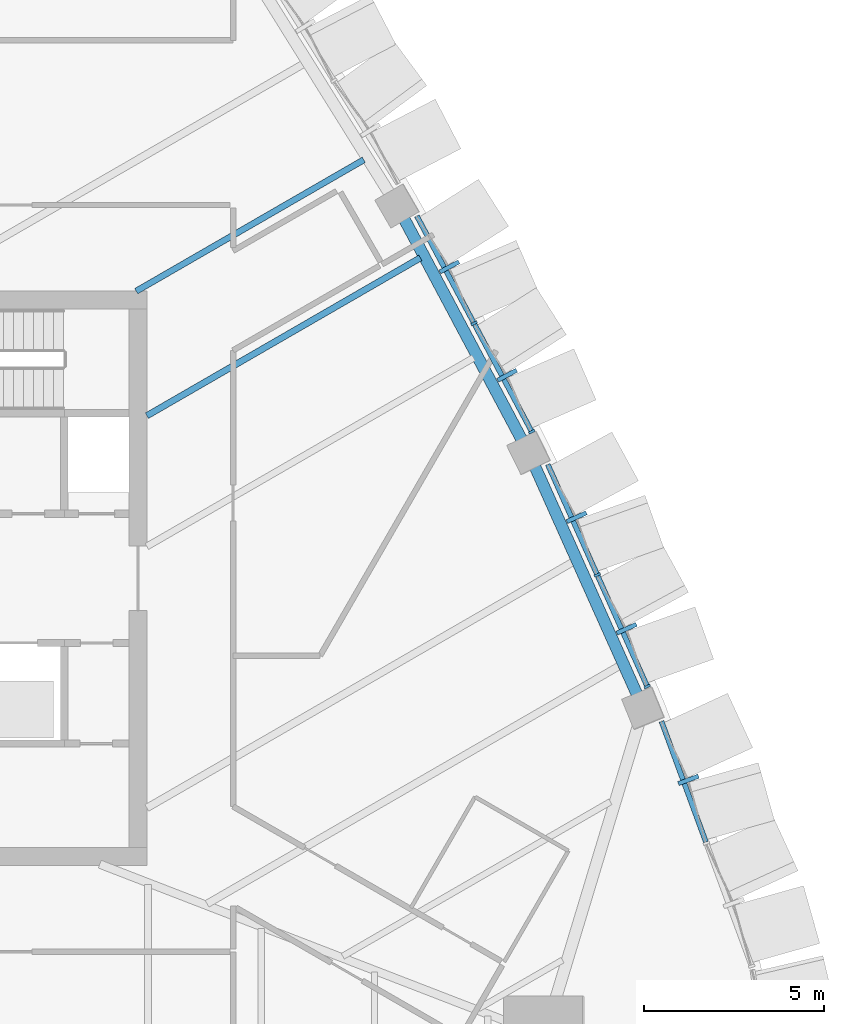
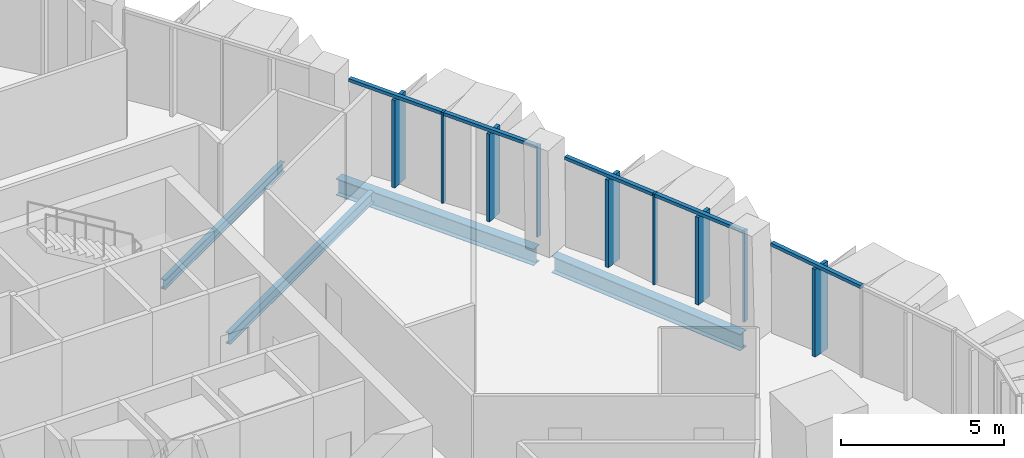
# One storey, part 5 of 20: 14 members, 4 beams, 3 elements without a shape of their own.
"""IFC4 building model written with IfcOpenShell, lengths in metres."""

from ifc_helpers import new_model, si_unit, direction, frame, origin, origin_2d, place, context, subcontext, project, spatial, rectangle, i_section, extrude, material, layer, layer_set, material_profile, profile_set, type_object, element, aggregate, save


model = new_model("IFC4")

# Units and contexts
model_context = context("Model", 3, precision=1e-05, world=origin(), true_north=direction((0.0, 1.0)))
body_context = subcontext(model_context, "Body", "Model", "MODEL_VIEW")
ifc_project = project(units=[si_unit("LENGTHUNIT", "METRE"), si_unit("AREAUNIT", "SQUARE_METRE"), si_unit("VOLUMEUNIT", "CUBIC_METRE"), si_unit("PLANEANGLEUNIT", "RADIAN"), si_unit("MASSUNIT", "GRAM", prefix="KILO")], contexts=[model_context])

# Site, building, storey
site_placement = place(None, origin())
site = spatial("IfcSite", under=ifc_project, at=site_placement, CompositionType="ELEMENT")
building_placement = place(site_placement, origin())
building = spatial("IfcBuilding", under=site, at=building_placement, Name="Sierra Prisma Convention Tower", CompositionType="ELEMENT")
storey_placement = place(building_placement, frame((0.0, 0.0, 239.0)))
storey = spatial("IfcBuildingStorey", under=building, at=storey_placement, Name="L53", CompositionType="ELEMENT", Elevation=239.0)

# Curtain wall, member
ifc_material_1 = material(Name="Aluminium and glass curtain wall", Category="aluminium")
ifc_layer = layer(ifc_material_1, 0.179931640625)
ifc_layer_set = layer_set([ifc_layer], Name="CW-2 Faceted crystal curtain wall")
curtain_wall_type = type_object("IfcCurtainWallType", Name="CW-2 Faceted crystal curtain wall", PredefinedType="NOTDEFINED", material=ifc_layer_set)
curtain_wall_1_placement = place(storey_placement, origin())
curtain_wall_1 = element("IfcCurtainWall", 1, at=curtain_wall_1_placement, inside=storey, type_object=curtain_wall_type, Name="CW-2 NE1 L53", PredefinedType="NOTDEFINED")
ifc_material_2 = material(Name="Aluminium 6063-T6 bronze anodised", Category="aluminium")
ifc_material_profile_1 = material_profile(ifc_material_2, rectangle(XDim=0.1201171875, YDim=0.60009765625, at=origin_2d()), Name="ALU RIDGE BLADE 120x600")
ifc_profile_set_1 = profile_set([ifc_material_profile_1], Name="Aluminium 6063-T6 bronze anodised")
member_type_1 = type_object("IfcMemberType", Name="CW hip bronze", PredefinedType="MULLION", material=ifc_profile_set_1)
member_1_placement = place(storey_placement, frame((26.08154296875, -5.61083984375, 0.0), z_axis=(0.0, 0.0, 1.0), x_axis=(-0.345714125267, 0.93833988703, 0.0)))
member_1 = element("IfcMember", 2, at=member_1_placement, type_object=member_type_1, Name="CW-2 ridge NE1.2", PredefinedType="MULLION", context=body_context, shape_type="SweptSolid", body=[
    extrude(rectangle(XDim=0.1201171875, YDim=0.60009765625, at=origin_2d()), origin(), (0.0, 0.0, 1.0), 3.280029296875),
])

# Curtain wall, members
curtain_wall_2_placement = place(storey_placement, origin())
curtain_wall_2 = element("IfcCurtainWall", 3, at=curtain_wall_2_placement, inside=storey, type_object=curtain_wall_type, Name="CW-2 NE2 L53", PredefinedType="NOTDEFINED")
member_2_placement = place(storey_placement, frame((24.358154296875, -1.40185546875, 0.0), z_axis=(0.0, 0.0, 1.0), x_axis=(-0.408891774944, 0.912582881925, 0.0)))
member_2 = element("IfcMember", 4, at=member_2_placement, type_object=member_type_1, Name="CW-2 ridge NE2.1", PredefinedType="MULLION", context=body_context, shape_type="SweptSolid", body=[
    extrude(rectangle(XDim=0.1201171875, YDim=0.60009765625, at=origin_2d()), origin(), (0.0, 0.0, 1.0), 3.280029296875),
])
member_3_placement = place(storey_placement, frame((22.966064453125, 1.70458984375, 0.0), z_axis=(0.0, 0.0, 1.0), x_axis=(-0.408891774944, 0.912582881925, 0.0)))
member_3 = element("IfcMember", 5, at=member_3_placement, type_object=member_type_1, Name="CW-2 ridge NE2.2", PredefinedType="MULLION", context=body_context, shape_type="SweptSolid", body=[
    extrude(rectangle(XDim=0.1201171875, YDim=0.60009765625, at=origin_2d()), origin(), (0.0, 0.0, 1.0), 3.280029296875),
])

curtain_wall_3_placement = place(storey_placement, origin())
curtain_wall_3 = element("IfcCurtainWall", 6, at=curtain_wall_3_placement, inside=storey, type_object=curtain_wall_type, Name="CW-2 NE3 L53", PredefinedType="NOTDEFINED")
member_4_placement = place(storey_placement, frame((21.03076171875, 5.656982421875, 0.0), z_axis=(0.0, 0.0, 1.0), x_axis=(-0.470166099365, 0.882577950669, 0.0)))
member_4 = element("IfcMember", 7, at=member_4_placement, type_object=member_type_1, Name="CW-2 ridge NE3.1", PredefinedType="MULLION", context=body_context, shape_type="SweptSolid", body=[
    extrude(rectangle(XDim=0.1201171875, YDim=0.60009765625, at=origin_2d()), origin(), (0.0, 0.0, 1.0), 3.280029296875),
])
member_5_placement = place(storey_placement, frame((19.4228515625, 8.67529296875, 0.0), z_axis=(0.0, 0.0, 1.0), x_axis=(-0.470166099365, 0.882577950669, 0.0)))
member_5 = element("IfcMember", 8, at=member_5_placement, type_object=member_type_1, Name="CW-2 ridge NE3.2", PredefinedType="MULLION", context=body_context, shape_type="SweptSolid", body=[
    extrude(rectangle(XDim=0.1201171875, YDim=0.60009765625, at=origin_2d()), origin(), (0.0, 0.0, 1.0), 3.280029296875),
])

# Member
ifc_material_3 = material(Name="Aluminium 6063-T6 bronze anodised", Category="aluminium")
ifc_material_profile_2 = material_profile(ifc_material_3, rectangle(XDim=0.179931640625, YDim=0.070068359375, at=origin_2d()), Name="ALU MULLION 70x180")
ifc_profile_set_2 = profile_set([ifc_material_profile_2], Name="Aluminium 6063-T6 bronze anodised")
member_type_2 = type_object("IfcMemberType", Name="CW mullion bronze", PredefinedType="MULLION", material=ifc_profile_set_2)
member_6_placement = place(storey_placement, frame((24.934326171875, -3.009033203125, 0.0), z_axis=(0.0, 0.0, 1.0), x_axis=(-0.912582881925, -0.408891774944, 0.0)))
member_6 = element("IfcMember", 9, at=member_6_placement, type_object=member_type_2, Name="CW-1 mullion NE2.1", PredefinedType="MULLION", context=body_context, shape_type="SweptSolid", body=[
    extrude(rectangle(XDim=0.179931640625, YDim=0.070068359375, at=origin_2d()), origin(), (0.0, 0.0, 1.0), 3.39990234375),
])

member_7_placement = place(storey_placement, frame((23.54248046875, 0.09765625, 0.0), z_axis=(0.0, 0.0, 1.0), x_axis=(-0.912582881925, -0.408891774944, 0.0)))
member_7 = element("IfcMember", 10, at=member_7_placement, type_object=member_type_2, Name="CW-1 mullion NE2.2", PredefinedType="MULLION", context=body_context, shape_type="SweptSolid", body=[
    extrude(rectangle(XDim=0.179931640625, YDim=0.070068359375, at=origin_2d()), origin(), (0.0, 0.0, 1.0), 3.39990234375),
])

member_8_placement = place(storey_placement, frame((21.718505859375, 4.085693359375, 0.0), z_axis=(0.0, 0.0, 1.0), x_axis=(-0.882577950669, -0.470166099365, 0.0)))
member_8 = element("IfcMember", 11, at=member_8_placement, type_object=member_type_2, Name="CW-1 mullion NE3.1", PredefinedType="MULLION", context=body_context, shape_type="SweptSolid", body=[
    extrude(rectangle(XDim=0.179931640625, YDim=0.070068359375, at=origin_2d()), origin(), (0.0, 0.0, 1.0), 3.39990234375),
])

member_9_placement = place(storey_placement, frame((20.1103515625, 7.104248046875, 0.0), z_axis=(0.0, 0.0, 1.0), x_axis=(-0.882577950669, -0.470166099365, 0.0)))
member_9 = element("IfcMember", 12, at=member_9_placement, type_object=member_type_2, Name="CW-1 mullion NE3.2", PredefinedType="MULLION", context=body_context, shape_type="SweptSolid", body=[
    extrude(rectangle(XDim=0.179931640625, YDim=0.070068359375, at=origin_2d()), origin(), (0.0, 0.0, 1.0), 3.39990234375),
])

ifc_material_4 = material(Name="Aluminium 6063-T6 bronze anodised", Category="aluminium")
ifc_material_profile_3 = material_profile(ifc_material_4, rectangle(XDim=0.139892578125, YDim=0.1201171875, at=origin_2d()), Name="ALU TRANSOM 120x140")
ifc_profile_set_3 = profile_set([ifc_material_profile_3], Name="Aluminium 6063-T6 bronze anodised")
member_type_3 = type_object("IfcMemberType", Name="CW transom bronze", PredefinedType="USERDEFINED", material=ifc_profile_set_3)
member_10_placement = place(storey_placement, frame((26.568359375, -7.33984375, 3.340087890625), z_axis=(-0.345708518092, 0.938341952872, 0.0), x_axis=(-0.938341952872, -0.345708518092, 0.0)))
member_10 = element("IfcMember", 13, at=member_10_placement, type_object=member_type_3, Name="CW-1 transom NE1.2", ObjectType="TRANSOM", PredefinedType="USERDEFINED", context=body_context, shape_type="SweptSolid", body=[
    extrude(rectangle(XDim=0.139892578125, YDim=0.1201171875, at=origin_2d()), origin(), (0.0, 0.0, 1.0), 3.5810546875),
])

aggregate(curtain_wall_1, [member_10, member_1])

member_11_placement = place(storey_placement, frame((24.920166015625, -2.97705078125, 3.340087890625), z_axis=(-0.408942371272, 0.912560210056, 0.0), x_axis=(-0.912560210056, -0.408942371272, 0.0)))
member_11 = element("IfcMember", 14, at=member_11_placement, type_object=member_type_3, Name="CW-1 transom NE2.1", ObjectType="TRANSOM", PredefinedType="USERDEFINED", context=body_context, shape_type="SweptSolid", body=[
    extrude(rectangle(XDim=0.139892578125, YDim=0.1201171875, at=origin_2d()), origin(), (0.0, 0.0, 1.0), 3.334228515625),
])

member_12_placement = place(storey_placement, frame((23.528076171875, 0.129638671875, 3.340087890625), z_axis=(-0.408881392104, 0.912587533988, 0.0), x_axis=(-0.912587533988, -0.408881392104, 0.0)))
member_12 = element("IfcMember", 15, at=member_12_placement, type_object=member_type_3, Name="CW-1 transom NE2.2", ObjectType="TRANSOM", PredefinedType="USERDEFINED", context=body_context, shape_type="SweptSolid", body=[
    extrude(rectangle(XDim=0.139892578125, YDim=0.1201171875, at=origin_2d()), origin(), (0.0, 0.0, 1.0), 3.334228515625),
])

aggregate(curtain_wall_2, [member_6, member_7, member_11, member_2, member_12, member_3])

member_13_placement = place(storey_placement, frame((21.701904296875, 4.11669921875, 3.340087890625), z_axis=(-0.470153163758, 0.882584841592, 0.0), x_axis=(-0.882584841592, -0.470153163758, 0.0)))
member_13 = element("IfcMember", 16, at=member_13_placement, type_object=member_type_3, Name="CW-1 transom NE3.1", ObjectType="TRANSOM", PredefinedType="USERDEFINED", context=body_context, shape_type="SweptSolid", body=[
    extrude(rectangle(XDim=0.139892578125, YDim=0.1201171875, at=origin_2d()), origin(), (0.0, 0.0, 1.0), 3.349853515625),
])

member_14_placement = place(storey_placement, frame((20.093994140625, 7.135009765625, 3.340087890625), z_axis=(-0.470179689926, 0.882570710584, 0.0), x_axis=(-0.882570710584, -0.470179689926, 0.0)))
member_14 = element("IfcMember", 17, at=member_14_placement, type_object=member_type_3, Name="CW-1 transom NE3.2", ObjectType="TRANSOM", PredefinedType="USERDEFINED", context=body_context, shape_type="SweptSolid", body=[
    extrude(rectangle(XDim=0.139892578125, YDim=0.1201171875, at=origin_2d()), origin(), (0.0, 0.0, 1.0), 3.35009765625),
])

aggregate(curtain_wall_3, [member_8, member_9, member_13, member_4, member_14, member_5])

# Beams
ifc_material_5 = material(Name="Steel ASTM A992 Gr 50", Category="steel")
ifc_material_profile_4 = material_profile(ifc_material_5, i_section(OverallWidth=0.172119140625, OverallDepth=0.35791015625, WebThickness=0.0078125, FlangeThickness=0.01318359375, at=origin_2d()), Name="W360x57")
ifc_profile_set_4 = profile_set([ifc_material_profile_4], Name="Steel ASTM A992 Gr 50")
beam_type_1 = type_object("IfcBeamType", Name="Floor joist W360x57", PredefinedType="JOIST", material=ifc_profile_set_4)
beam_1_placement = place(storey_placement, frame((17.0390625, 11.65771484375, -0.3291015625), z_axis=(-0.86602886455, -0.49999400573, 0.0), x_axis=(0.49999400573, -0.86602886455, 0.0)))
element("IfcBeam", 18, at=beam_1_placement, inside=storey, type_object=beam_type_1, Name="Floor joist L53 NE08", PredefinedType="JOIST", context=body_context, shape_type="SweptSolid", body=[
    extrude(i_section(OverallWidth=0.172119140625, OverallDepth=0.35791015625, WebThickness=0.0078125, FlangeThickness=0.01318359375, at=origin_2d()), origin(), (0.0, 0.0, 1.0), 7.3154296875),
])
ifc_material_6 = material(Name="Steel ASTM A992 Gr 50", Category="steel")
ifc_material_profile_5 = material_profile(ifc_material_6, i_section(OverallWidth=0.177978515625, OverallDepth=0.406982421875, WebThickness=0.0078125, FlangeThickness=0.0126953125, at=origin_2d()), Name="W410x60")
ifc_profile_set_5 = profile_set([ifc_material_profile_5], Name="Steel ASTM A992 Gr 50")
beam_type_2 = type_object("IfcBeamType", Name="Floor joist W410x60", PredefinedType="JOIST", material=ifc_profile_set_5)
beam_2_placement = place(storey_placement, frame((18.615478515625, 8.92724609375, -0.353515625), z_axis=(-0.866028853432, -0.499994024988, 0.0), x_axis=(0.499994024988, -0.866028853432, 0.0)))
element("IfcBeam", 19, at=beam_2_placement, inside=storey, type_object=beam_type_2, Name="Floor joist L53 NE07", PredefinedType="JOIST", context=body_context, shape_type="SweptSolid", body=[
    extrude(i_section(OverallWidth=0.177978515625, OverallDepth=0.406982421875, WebThickness=0.0078125, FlangeThickness=0.0126953125, at=origin_2d()), origin(), (0.0, 0.0, 1.0), 8.79345703125),
])
ifc_material_7 = material(Name="Steel ASTM A992 Gr 50", Category="steel")
ifc_material_profile_6 = material_profile(ifc_material_7, i_section(OverallWidth=0.324951171875, OverallDepth=0.615966796875, WebThickness=0.013916015625, FlangeThickness=0.021484375, at=origin_2d()), Name="W610x174")
ifc_profile_set_6 = profile_set([ifc_material_profile_6], Name="Steel ASTM A992 Gr 50")
beam_type_3 = type_object("IfcBeamType", Name="Spandrel beam W610x174", PredefinedType="BEAM", material=ifc_profile_set_6)
for number, where, z_axis, x_axis, name in (
    (20, (24.69140625, -3.322265625, -0.4580078125), (-0.408872245099, 0.912591632214, 0.0), (-0.912591632214, -0.408872245099, 0.0), "Spandrel L53-08"),
    (21, (21.482421875, 3.784423828125, -0.4580078125), (-0.470158567125, 0.882581963196, 0.0), (-0.882581963196, -0.470158567125, 0.0), "Spandrel L53-09"),
):
    element("IfcBeam", number, at=place(storey_placement, frame(where, z_axis=z_axis, x_axis=x_axis)), inside=storey, type_object=beam_type_3, Name=name, PredefinedType="BEAM", context=body_context, shape_type="SweptSolid", body=[
        extrude(i_section(OverallWidth=0.324951171875, OverallDepth=0.615966796875, WebThickness=0.013916015625, FlangeThickness=0.021484375, at=origin_2d()), origin(), (0.0, 0.0, 1.0), 7.137939453125),
    ])

save(model, "model.ifc")
